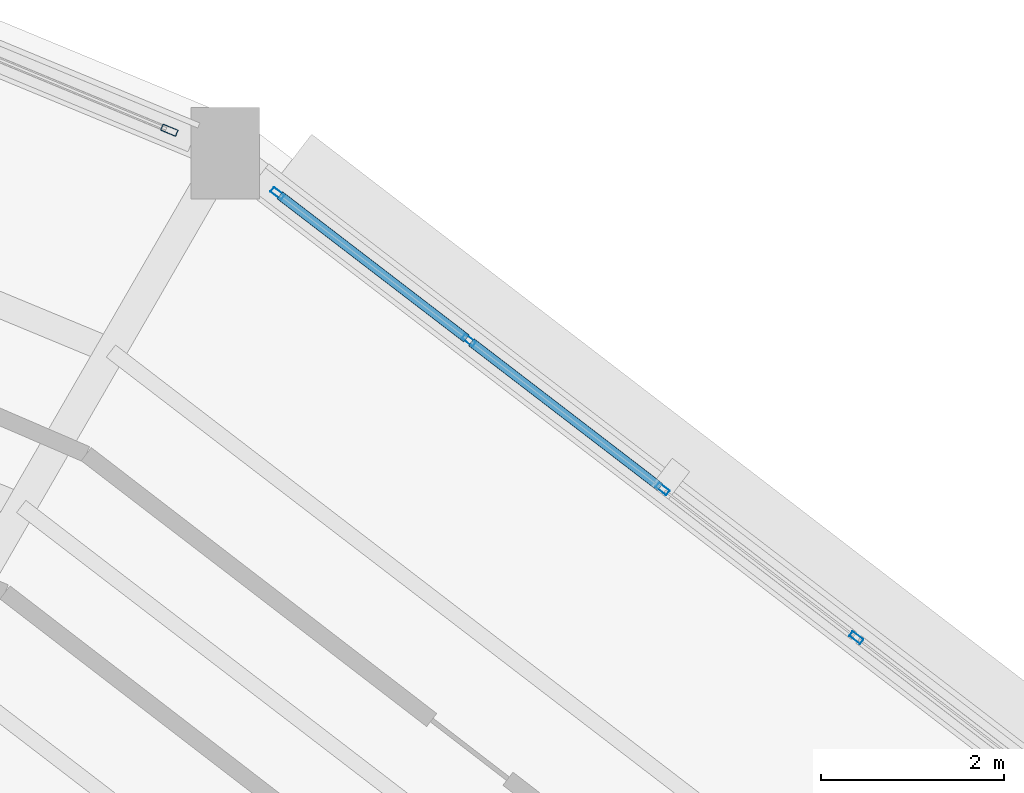
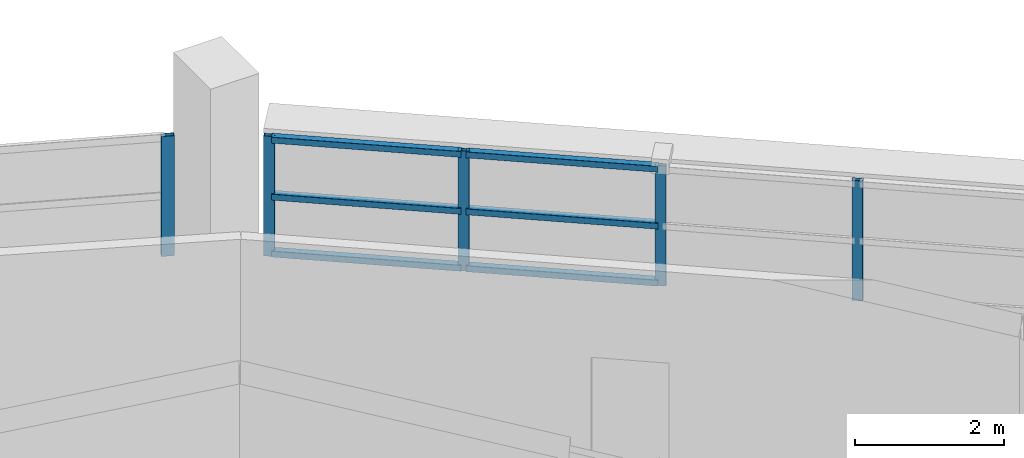
# One storey, part 81 of 108: 11 members, 2 elements without a shape of their own.
"""IFC4 building model written with IfcOpenShell, lengths in metres."""

from ifc_helpers import new_model, si_unit, direction, frame, origin, origin_2d, place, context, subcontext, project, spatial, hollow_rectangle, extrude, material, layer, layer_set, material_profile, profile_set, type_object, element, aggregate, save


model = new_model("IFC4")

# Units and contexts
model_context = context("Model", 3, precision=1e-05, world=origin(), true_north=direction((0.0, 1.0)))
body_context = subcontext(model_context, "Body", "Model", "MODEL_VIEW")
ifc_project = project(units=[si_unit("LENGTHUNIT", "METRE"), si_unit("AREAUNIT", "SQUARE_METRE"), si_unit("VOLUMEUNIT", "CUBIC_METRE"), si_unit("PLANEANGLEUNIT", "RADIAN"), si_unit("MASSUNIT", "GRAM", prefix="KILO")], contexts=[model_context])

# Site, building, storey
site_placement = place(None, origin())
site = spatial("IfcSite", under=ifc_project, at=site_placement, CompositionType="ELEMENT")
building_placement = place(site_placement, origin())
building = spatial("IfcBuilding", under=site, at=building_placement, Name="Vespera Passage Community Centre", CompositionType="ELEMENT")
storey_placement = place(building_placement, frame((0.0, 0.0, 12.60009765625)))
storey = spatial("IfcBuildingStorey", under=building, at=storey_placement, Name="L03", CompositionType="ELEMENT", Elevation=12.60009765625)

# Curtain wall, members
ifc_material_1 = material(Name="Anodized aluminium 6063-T6", Category="aluminium")
ifc_layer_1 = layer(ifc_material_1, 0.159912109375)
ifc_layer_set_1 = layer_set([ifc_layer_1], Name="Anodized aluminium 6063-T6")
curtain_wall_type_1 = type_object("IfcCurtainWallType", Name="CW-37E", PredefinedType="NOTDEFINED", material=ifc_layer_set_1)
curtain_wall_1_placement = place(storey_placement, origin())
curtain_wall_1 = element("IfcCurtainWall", 1, at=curtain_wall_1_placement, inside=storey, type_object=curtain_wall_type_1, Name="V4 L03 Outer Ribbon Curtain Wall 3", PredefinedType="NOTDEFINED")
ifc_material_2 = material(Name="Anodized aluminium 6063-T6", Category="aluminium")
ifc_material_profile_1 = material_profile(ifc_material_2, hollow_rectangle(XDim=0.06494140625, YDim=0.14990234375, WallThickness=0.00390625, InnerFilletRadius=0.001953125, OuterFilletRadius=0.00390625, at=origin_2d()), Name="ALU150X65X4")
ifc_profile_set_1 = profile_set([ifc_material_profile_1], Name="Anodized aluminium 6063-T6")
member_type_1 = type_object("IfcMemberType", Name="MB-CWM-150E", PredefinedType="MULLION", material=ifc_profile_set_1)
member_1_placement = place(storey_placement, frame((101.621337890625, 104.9853515625, 0.81982421875), z_axis=(0.0, 0.0, 1.0), x_axis=(0.608771824991, 0.793345363065, 0.0)))
member_1 = element("IfcMember", 2, at=member_1_placement, type_object=member_type_1, Name="CW-37E mullion 1", PredefinedType="MULLION", context=body_context, shape_type="SweptSolid", body=[
    extrude(hollow_rectangle(XDim=0.06494140625, YDim=0.14990234375, WallThickness=0.00390625, InnerFilletRadius=0.001953125, OuterFilletRadius=0.00390625, at=origin_2d()), origin(), (0.0, 0.0, 1.0), 1.965576171875),
])
member_2_placement = place(storey_placement, frame((103.709716796875, 103.383056640625, 0.81982421875), z_axis=(0.0, 0.0, 1.0), x_axis=(0.608771824991, 0.793345363065, 0.0)))
member_2 = element("IfcMember", 3, at=member_2_placement, type_object=member_type_1, Name="CW-37E mullion 2", PredefinedType="MULLION", context=body_context, shape_type="SweptSolid", body=[
    extrude(hollow_rectangle(XDim=0.06494140625, YDim=0.14990234375, WallThickness=0.00390625, InnerFilletRadius=0.001953125, OuterFilletRadius=0.00390625, at=origin_2d()), origin(), (0.0, 0.0, 1.0), 1.965576171875),
])
member_3_placement = place(storey_placement, frame((105.82373046875, 101.7607421875, 0.81982421875), z_axis=(0.0, 0.0, 1.0), x_axis=(0.608771824991, 0.793345363065, 0.0)))
member_3 = element("IfcMember", 4, at=member_3_placement, type_object=member_type_1, Name="CW-37E mullion 3", PredefinedType="MULLION", context=body_context, shape_type="SweptSolid", body=[
    extrude(hollow_rectangle(XDim=0.06494140625, YDim=0.14990234375, WallThickness=0.00390625, InnerFilletRadius=0.001953125, OuterFilletRadius=0.00390625, at=origin_2d()), origin(), (0.0, 0.0, 1.0), 1.965576171875),
])
member_4_placement = place(storey_placement, frame((107.93798828125, 100.138427734375, 0.81982421875), z_axis=(0.0, 0.0, 1.0), x_axis=(0.608771824991, 0.793345363065, 0.0)))
member_4 = element("IfcMember", 5, at=member_4_placement, type_object=member_type_1, Name="CW-37E mullion 4", PredefinedType="MULLION", context=body_context, shape_type="SweptSolid", body=[
    extrude(hollow_rectangle(XDim=0.06494140625, YDim=0.14990234375, WallThickness=0.00390625, InnerFilletRadius=0.001953125, OuterFilletRadius=0.00390625, at=origin_2d()), origin(), (0.0, 0.0, 1.0), 1.965576171875),
])

# Curtain wall, member
ifc_material_3 = material(Name="Anodized aluminium 6063-T6", Category="aluminium")
ifc_layer_2 = layer(ifc_material_3, 0.159912109375)
ifc_layer_set_2 = layer_set([ifc_layer_2], Name="Anodized aluminium 6063-T6")
curtain_wall_type_2 = type_object("IfcCurtainWallType", Name="CW-39E", PredefinedType="NOTDEFINED", material=ifc_layer_set_2)
curtain_wall_2_placement = place(storey_placement, origin())
curtain_wall_2 = element("IfcCurtainWall", 6, at=curtain_wall_2_placement, inside=storey, type_object=curtain_wall_type_2, Name="V4 L03 Outer Ribbon Curtain Wall 4", PredefinedType="NOTDEFINED")
ifc_material_4 = material(Name="Anodized aluminium 6063-T6", Category="aluminium")
ifc_material_profile_2 = material_profile(ifc_material_4, hollow_rectangle(XDim=0.074951171875, YDim=0.179931640625, WallThickness=0.0048828125, InnerFilletRadius=0.00244140625, OuterFilletRadius=0.0048828125, at=origin_2d()), Name="ALU180X75X5")
ifc_profile_set_2 = profile_set([ifc_material_profile_2], Name="Anodized aluminium 6063-T6")
member_type_2 = type_object("IfcMemberType", Name="MB-CWM-180E", PredefinedType="MULLION", material=ifc_profile_set_2)
member_5_placement = place(storey_placement, frame((100.441650390625, 105.67578125, 0.81982421875), z_axis=(0.0, 0.0, 1.0), x_axis=(0.382682936255, 0.923879738007, 0.0)))
member_5 = element("IfcMember", 7, at=member_5_placement, type_object=member_type_2, Name="CW-39E mullion 5", PredefinedType="MULLION", context=body_context, shape_type="SweptSolid", body=[
    extrude(hollow_rectangle(XDim=0.074951171875, YDim=0.179931640625, WallThickness=0.0048828125, InnerFilletRadius=0.00244140625, OuterFilletRadius=0.0048828125, at=origin_2d()), origin(), (0.0, 0.0, 1.0), 1.965576171875),
])
aggregate(curtain_wall_2, [member_5])

# Member
ifc_material_5 = material(Name="Anodized aluminium 6063-T6", Category="aluminium")
ifc_material_profile_3 = material_profile(ifc_material_5, hollow_rectangle(XDim=0.10009765625, YDim=0.10009765625, WallThickness=0.00390625, InnerFilletRadius=0.001953125, OuterFilletRadius=0.00390625, at=origin_2d()), Name="ALU100X100X4")
ifc_profile_set_3 = profile_set([ifc_material_profile_3], Name="Anodized aluminium 6063-T6")
member_type_3 = type_object("IfcMemberType", Name="MB-CWT-100E", PredefinedType="USERDEFINED", material=ifc_profile_set_3)
member_6_placement = place(storey_placement, frame((101.647216796875, 104.965576171875, 0.869873046875), z_axis=(0.793355257183, -0.608758930859, 0.0), x_axis=(0.608758930859, 0.793355257183, 0.0)))
member_6 = element("IfcMember", 8, at=member_6_placement, type_object=member_type_3, Name="CW-37E transom 1.1", ObjectType="TRANSOM", PredefinedType="USERDEFINED", context=body_context, shape_type="SweptSolid", body=[
    extrude(hollow_rectangle(XDim=0.10009765625, YDim=0.10009765625, WallThickness=0.00390625, InnerFilletRadius=0.001953125, OuterFilletRadius=0.00390625, at=origin_2d()), origin(), (0.0, 0.0, 1.0), 2.567138671875),
])

member_7_placement = place(storey_placement, frame((101.647216796875, 104.965576171875, 1.802734375), z_axis=(0.793355257183, -0.608758930859, 0.0), x_axis=(0.608758930859, 0.793355257183, 0.0)))
member_7 = element("IfcMember", 9, at=member_7_placement, type_object=member_type_3, Name="CW-37E transom 1.2", ObjectType="TRANSOM", PredefinedType="USERDEFINED", context=body_context, shape_type="SweptSolid", body=[
    extrude(hollow_rectangle(XDim=0.10009765625, YDim=0.10009765625, WallThickness=0.00390625, InnerFilletRadius=0.001953125, OuterFilletRadius=0.00390625, at=origin_2d()), origin(), (0.0, 0.0, 1.0), 2.567138671875),
])

member_8_placement = place(storey_placement, frame((101.647216796875, 104.965576171875, 2.735595703125), z_axis=(0.793355257183, -0.608758930859, 0.0), x_axis=(0.608758930859, 0.793355257183, 0.0)))
member_8 = element("IfcMember", 10, at=member_8_placement, type_object=member_type_3, Name="CW-37E transom 1.3", ObjectType="TRANSOM", PredefinedType="USERDEFINED", context=body_context, shape_type="SweptSolid", body=[
    extrude(hollow_rectangle(XDim=0.10009765625, YDim=0.10009765625, WallThickness=0.00390625, InnerFilletRadius=0.001953125, OuterFilletRadius=0.00390625, at=origin_2d()), origin(), (0.0, 0.0, 1.0), 2.567138671875),
])

member_9_placement = place(storey_placement, frame((103.735595703125, 103.36328125, 0.869873046875), z_axis=(0.793325147434, -0.608798168894, 0.0), x_axis=(0.608798168894, 0.793325147434, 0.0)))
member_9 = element("IfcMember", 11, at=member_9_placement, type_object=member_type_3, Name="CW-37E transom 2.1", ObjectType="TRANSOM", PredefinedType="USERDEFINED", context=body_context, shape_type="SweptSolid", body=[
    extrude(hollow_rectangle(XDim=0.10009765625, YDim=0.10009765625, WallThickness=0.00390625, InnerFilletRadius=0.001953125, OuterFilletRadius=0.00390625, at=origin_2d()), origin(), (0.0, 0.0, 1.0), 2.599853515625),
])

member_10_placement = place(storey_placement, frame((103.735595703125, 103.36328125, 1.802734375), z_axis=(0.793325147434, -0.608798168894, 0.0), x_axis=(0.608798168894, 0.793325147434, 0.0)))
member_10 = element("IfcMember", 12, at=member_10_placement, type_object=member_type_3, Name="CW-37E transom 2.2", ObjectType="TRANSOM", PredefinedType="USERDEFINED", context=body_context, shape_type="SweptSolid", body=[
    extrude(hollow_rectangle(XDim=0.10009765625, YDim=0.10009765625, WallThickness=0.00390625, InnerFilletRadius=0.001953125, OuterFilletRadius=0.00390625, at=origin_2d()), origin(), (0.0, 0.0, 1.0), 2.599853515625),
])

member_11_placement = place(storey_placement, frame((103.735595703125, 103.36328125, 2.735595703125), z_axis=(0.793325147434, -0.608798168894, 0.0), x_axis=(0.608798168894, 0.793325147434, 0.0)))
member_11 = element("IfcMember", 13, at=member_11_placement, type_object=member_type_3, Name="CW-37E transom 2.3", ObjectType="TRANSOM", PredefinedType="USERDEFINED", context=body_context, shape_type="SweptSolid", body=[
    extrude(hollow_rectangle(XDim=0.10009765625, YDim=0.10009765625, WallThickness=0.00390625, InnerFilletRadius=0.001953125, OuterFilletRadius=0.00390625, at=origin_2d()), origin(), (0.0, 0.0, 1.0), 2.599853515625),
])

aggregate(curtain_wall_1, [member_1, member_2, member_3, member_4, member_6, member_7, member_8, member_9, member_10, member_11])

save(model, "model.ifc")
